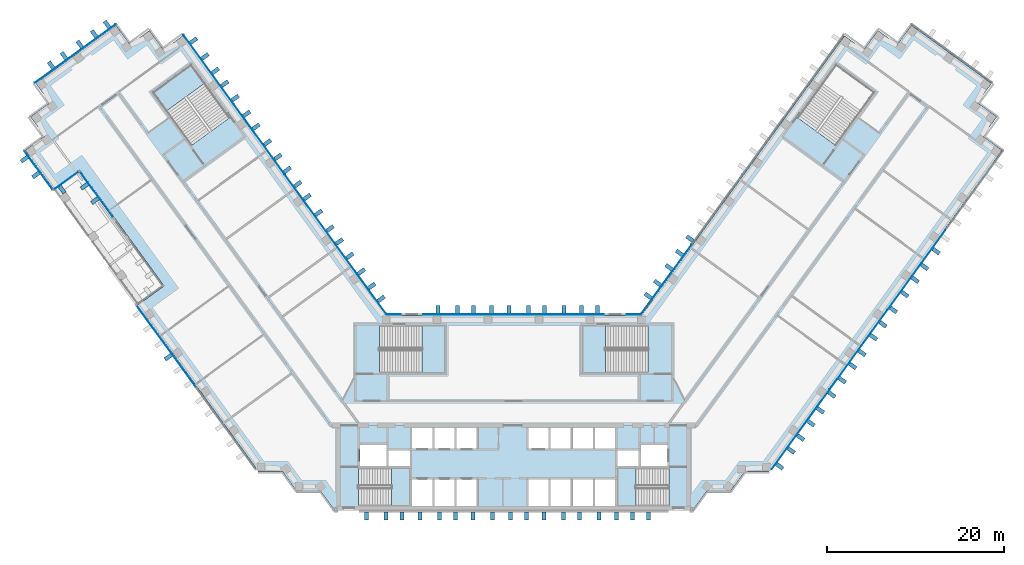
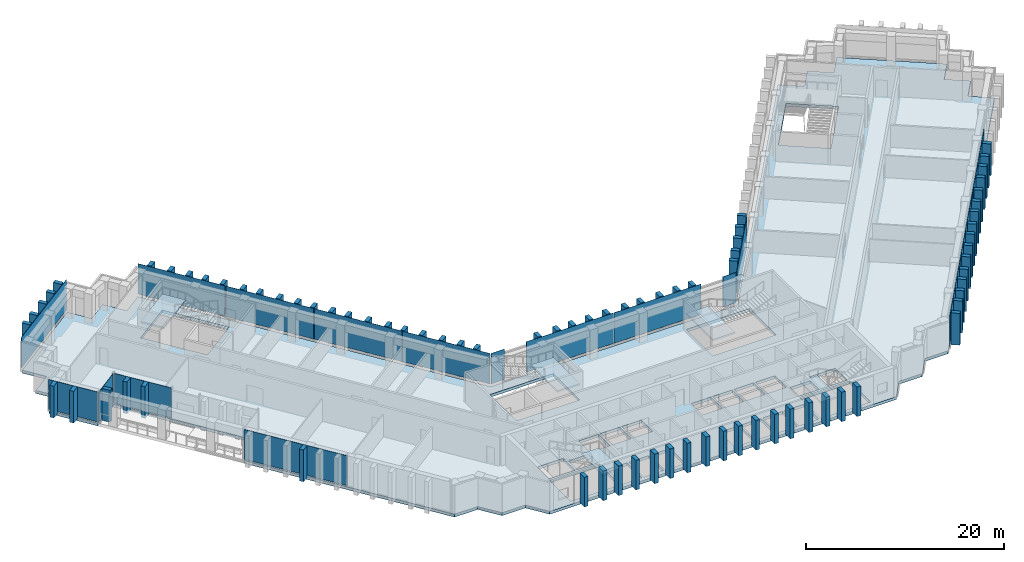
"""IFC4 building model written with IfcOpenShell, lengths in metres."""

from ifc_helpers import new_model, si_unit, direction, frame, origin, origin_2d, place, context, subcontext, project, spatial, polyline, rectangle, outline, extrude, material, layer, layer_set, type_object, element, aggregate, save


model = new_model("IFC4")

# Units and contexts
model_context = context("Model", 3, precision=1e-05, world=origin(), true_north=direction((0.0, 1.0)))
body_context = subcontext(model_context, "Body", "Model", "MODEL_VIEW")
ifc_project = project(units=[si_unit("LENGTHUNIT", "METRE"), si_unit("AREAUNIT", "SQUARE_METRE"), si_unit("VOLUMEUNIT", "CUBIC_METRE"), si_unit("PLANEANGLEUNIT", "RADIAN"), si_unit("MASSUNIT", "GRAM", prefix="KILO")], contexts=[model_context])

# Site, building, storey
site_placement = place(None, origin())
site = spatial("IfcSite", under=ifc_project, at=site_placement, CompositionType="ELEMENT")
building_placement = place(site_placement, origin())
building = spatial("IfcBuilding", under=site, at=building_placement, Name="Quipu Civic Tower", CompositionType="ELEMENT")
storey_1_placement = place(building_placement, frame((0.0, 0.0, 43.0)))
storey_1 = spatial("IfcBuildingStorey", under=building, at=storey_1_placement, Name="L09", CompositionType="ELEMENT", Elevation=43.0)

# Slab
ifc_material_1 = material(Name="Concrete C40/50", Category="concrete")
ifc_layer_1 = layer(ifc_material_1, 0.35009765625)
ifc_layer_set_1 = layer_set([ifc_layer_1], Name="Concrete C40/50")
slab_type_1 = type_object("IfcSlabType", Name="Floor slab 350 C40/50", PredefinedType="FLOOR", material=ifc_layer_set_1)
slab_1_placement = place(storey_1_placement, frame((0.0, 0.0, -0.35009765625)))
element("IfcSlab", 1, at=slab_1_placement, inside=storey_1, type_object=slab_type_1, Name="Floor slab L09", PredefinedType="FLOOR", context=body_context, shape_type="SweptSolid", body=[
    extrude(outline(polyline([(-54.514892578125, 33.389892578125), (-52.3349609375, 34.97509765625), (-53.919921875, 37.159912109375), (-44.860107421875, 43.739990234375), (-43.27001953125, 41.56005859375), (-41.0849609375, 43.14501953125), (-39.5, 40.9599609375), (-37.31494140625, 42.550048828125), (-14.39501953125, 11.0), (14.39501953125, 11.0), (37.31494140625, 42.550048828125), (39.5, 40.9599609375), (41.0849609375, 43.14501953125), (43.27001953125, 41.56005859375), (44.860107421875, 43.739990234375), (53.919921875, 37.159912109375), (52.3349609375, 34.97509765625), (54.514892578125, 33.389892578125), (52.929931640625, 31.205078125), (55.114990234375, 29.614990234375), (28.780029296875, -6.6298828125), (26.080078125, -6.6298828125), (24.489990234375, -8.81494140625), (21.7900390625, -8.81494140625), (20.205078125, -11.0), (-20.205078125, -11.0), (-21.7900390625, -8.81494140625), (-24.489990234375, -8.81494140625), (-26.080078125, -6.6298828125), (-28.780029296875, -6.6298828125), (-42.419921875, 12.139892578125), (-39.43505859375, 14.31005859375), (-48.9599609375, 27.4150390625), (-51.93994140625, 25.25), (-55.114990234375, 29.614990234375), (-52.929931640625, 31.205078125), (-54.514892578125, 33.389892578125)]), holes=[polyline([(-11.449951171875, -7.5), (-11.449951171875, -10.5), (-9.14990234375, -10.5), (-9.14990234375, -7.5), (-11.449951171875, -7.5)]), polyline([(-6.64990234375, -7.5), (-8.949951171875, -7.5), (-8.949951171875, -10.5), (-6.64990234375, -10.5), (-6.64990234375, -7.5)]), polyline([(-4.14990234375, -7.5), (-6.449951171875, -7.5), (-6.449951171875, -10.5), (-4.14990234375, -10.5), (-4.14990234375, -7.5)]), polyline([(1.64990234375, -7.5), (1.64990234375, -10.5), (3.949951171875, -10.5), (3.949951171875, -7.5), (1.64990234375, -7.5)]), polyline([(-11.705078125, -10.4951171875), (-11.705078125, -6.2548828125), (-17.4951171875, -6.2548828125), (-17.4951171875, -10.4951171875), (-11.705078125, -10.4951171875)]), polyline([(-11.699951171875, -4.25), (-14.10009765625, -4.25), (-14.10009765625, -6.0), (-11.699951171875, -6.0), (-11.699951171875, -4.25)]), polyline([(-17.35009765625, -3.60009765625), (-17.35009765625, -6.0), (-14.35009765625, -6.0), (-14.35009765625, -3.60009765625), (-17.35009765625, -3.60009765625)]), polyline([(-9.14990234375, -1.699951171875), (-11.449951171875, -1.699951171875), (-11.449951171875, -4.0), (-9.14990234375, -4.0), (-9.14990234375, -1.699951171875)]), polyline([(-6.64990234375, -1.699951171875), (-8.949951171875, -1.699951171875), (-8.949951171875, -4.0), (-6.64990234375, -4.0), (-6.64990234375, -1.699951171875)]), polyline([(-6.449951171875, -1.699951171875), (-6.449951171875, -4.0), (-4.14990234375, -4.0), (-4.14990234375, -1.699951171875), (-6.449951171875, -1.699951171875)]), polyline([(-7.7548828125, 4.5048828125), (-7.7548828125, 9.844970703125), (-15.14501953125, 9.844970703125), (-15.14501953125, 4.5048828125), (-7.7548828125, 4.5048828125)]), polyline([(-36.364990234375, 39.27490234375), (-40.68505859375, 36.135009765625), (-36.344970703125, 30.159912109375), (-32.02490234375, 33.300048828125), (-36.364990234375, 39.27490234375)]), polyline([(4.14990234375, -7.5), (4.14990234375, -10.5), (6.449951171875, -10.5), (6.449951171875, -7.5), (4.14990234375, -7.5)]), polyline([(8.949951171875, -7.5), (6.64990234375, -7.5), (6.64990234375, -10.5), (8.949951171875, -10.5), (8.949951171875, -7.5)]), polyline([(11.449951171875, -7.5), (9.14990234375, -7.5), (9.14990234375, -10.5), (11.449951171875, -10.5), (11.449951171875, -7.5)]), polyline([(11.705078125, -10.4951171875), (17.4951171875, -10.4951171875), (17.4951171875, -6.2548828125), (11.705078125, -6.2548828125), (11.705078125, -10.4951171875)]), polyline([(14.10009765625, -4.25), (11.699951171875, -4.25), (11.699951171875, -6.0), (14.10009765625, -6.0), (14.10009765625, -4.25)]), polyline([(17.35009765625, -3.60009765625), (14.35009765625, -3.60009765625), (14.35009765625, -6.0), (17.35009765625, -6.0), (17.35009765625, -3.60009765625)]), polyline([(1.64990234375, -1.699951171875), (1.64990234375, -4.0), (3.949951171875, -4.0), (3.949951171875, -1.699951171875), (1.64990234375, -1.699951171875)]), polyline([(6.449951171875, -1.699951171875), (4.14990234375, -1.699951171875), (4.14990234375, -4.0), (6.449951171875, -4.0), (6.449951171875, -1.699951171875)]), polyline([(8.949951171875, -1.699951171875), (6.64990234375, -1.699951171875), (6.64990234375, -4.0), (8.949951171875, -4.0), (8.949951171875, -1.699951171875)]), polyline([(9.14990234375, -1.699951171875), (9.14990234375, -4.0), (11.449951171875, -4.0), (11.449951171875, -1.699951171875), (9.14990234375, -1.699951171875)]), polyline([(7.7548828125, 9.844970703125), (7.7548828125, 4.5048828125), (15.14501953125, 4.5048828125), (15.14501953125, 9.844970703125), (7.7548828125, 9.844970703125)]), polyline([(40.68505859375, 36.135009765625), (36.364990234375, 39.27490234375), (32.02490234375, 33.300048828125), (36.344970703125, 30.159912109375), (40.68505859375, 36.135009765625)])]), origin(), (0.0, 0.0, 1.0), 0.35009765625),
])

# Curtain wall, plate
ifc_material_2 = material(Name="Insulated glass unit", Category="glass")
curtain_wall_type = type_object("IfcCurtainWallType", Name="Office curtain wall CW1", PredefinedType="NOTDEFINED", material=ifc_material_2)
curtain_wall_1_placement = place(storey_1_placement, origin())
curtain_wall_1 = element("IfcCurtainWall", 2, at=curtain_wall_1_placement, inside=storey_1, type_object=curtain_wall_type, Name="Office curtain wall CW1 L09 run 1", PredefinedType="NOTDEFINED")
ifc_material_3 = material(Name="Insulated glass unit", Category="glass")
ifc_layer_2 = layer(ifc_material_3, 0.028076171875)
ifc_layer_set_2 = layer_set([ifc_layer_2], Name="Insulated glass unit")
plate_type_1 = type_object("IfcPlateType", Name="Glass panel CW1", PredefinedType="CURTAIN_PANEL", material=ifc_layer_set_2)
plate_1_placement = place(storey_1_placement, frame((-53.6083984375, 27.373291015625, 0.240234375), z_axis=(0.0, 0.0, 1.0), x_axis=(0.587785144401, -0.809017072762, 0.0)))
plate_1 = element("IfcPlate", 3, at=plate_1_placement, type_object=plate_type_1, Name="CW1 panel 1.1", PredefinedType="CURTAIN_PANEL", context=body_context, shape_type="SweptSolid", body=[
    extrude(rectangle(XDim=5.43994140625, YDim=0.028076171875, at=origin_2d()), origin(), (0.0, 0.0, 1.0), 3.679931640625),
])
aggregate(curtain_wall_1, [plate_1])

curtain_wall_2_placement = place(storey_1_placement, origin())
curtain_wall_2 = element("IfcCurtainWall", 4, at=curtain_wall_2_placement, inside=storey_1, type_object=curtain_wall_type, Name="Office curtain wall CW1 L09 run 2", PredefinedType="NOTDEFINED")
plate_2_placement = place(storey_1_placement, frame((-50.4716796875, 26.19140625, 0.240234375), z_axis=(0.0, 0.0, 1.0), x_axis=(0.809017576253, 0.587784451405, 0.0)))
plate_2 = element("IfcPlate", 5, at=plate_2_placement, type_object=plate_type_1, Name="CW1 panel 1.1", PredefinedType="CURTAIN_PANEL", context=body_context, shape_type="SweptSolid", body=[
    extrude(rectangle(XDim=3.525634765625, YDim=0.028076171875, at=origin_2d()), origin(), (0.0, 0.0, 1.0), 3.679931640625),
])
aggregate(curtain_wall_2, [plate_2])

curtain_wall_3_placement = place(storey_1_placement, origin())
curtain_wall_3 = element("IfcCurtainWall", 6, at=curtain_wall_3_placement, inside=storey_1, type_object=curtain_wall_type, Name="Office curtain wall CW1 L09 run 3", PredefinedType="NOTDEFINED")
plate_3_placement = place(storey_1_placement, frame((-47.06494140625, 24.6376953125, 0.240234375), z_axis=(0.0, 0.0, 1.0), x_axis=(0.587783041125, -0.809018600878, 0.0)))
plate_3 = element("IfcPlate", 7, at=plate_3_placement, type_object=plate_type_1, Name="CW1 panel 1.1", PredefinedType="CURTAIN_PANEL", context=body_context, shape_type="SweptSolid", body=[
    extrude(rectangle(XDim=6.3583984375, YDim=0.028076171875, at=origin_2d()), origin(), (0.0, 0.0, 1.0), 3.679931640625),
])
aggregate(curtain_wall_3, [plate_3])

curtain_wall_4_placement = place(storey_1_placement, origin())
curtain_wall_4 = element("IfcCurtainWall", 8, at=curtain_wall_4_placement, inside=storey_1, type_object=curtain_wall_type, Name="Office curtain wall CW1 L09 run 7", PredefinedType="NOTDEFINED")
plate_4_placement = place(storey_1_placement, frame((-39.170654296875, 7.501708984375, 0.240234375), z_axis=(0.0, 0.0, 1.0), x_axis=(0.587783362073, -0.809018367696, 0.0)))
plate_4 = element("IfcPlate", 9, at=plate_4_placement, type_object=plate_type_1, Name="CW1 panel 1.1", PredefinedType="CURTAIN_PANEL", context=body_context, shape_type="SweptSolid", body=[
    extrude(rectangle(XDim=11.365478515625, YDim=0.028076171875, at=origin_2d()), origin(), (0.0, 0.0, 1.0), 3.679931640625),
])
aggregate(curtain_wall_4, [plate_4])

# Storey
storey_2_placement = place(building_placement, frame((0.0, 0.0, 47.0)))
storey_2 = spatial("IfcBuildingStorey", under=building, at=storey_2_placement, Name="L10", CompositionType="ELEMENT", Elevation=47.0)

# Curtain wall, plates
curtain_wall_5_placement = place(storey_2_placement, origin())
curtain_wall_5 = element("IfcCurtainWall", 10, at=curtain_wall_5_placement, inside=storey_2, type_object=curtain_wall_type, Name="Office curtain wall CW1 L09 run 19", PredefinedType="NOTDEFINED")
plate_5_placement = place(storey_1_placement, frame((32.342529296875, -1.896484375, 0.240234375), z_axis=(0.0, 0.0, 1.0), x_axis=(0.587785559869, 0.809016770908, 0.0)))
plate_5 = element("IfcPlate", 11, at=plate_5_placement, inside=storey_1, type_object=plate_type_1, Name="CW1 panel 1.1", PredefinedType="CURTAIN_PANEL", context=body_context, shape_type="SweptSolid", body=[
    extrude(rectangle(XDim=11.022705078125, YDim=0.028076171875, at=origin_2d()), origin(), (0.0, 0.0, 1.0), 3.760009765625),
])
plate_6_placement = place(storey_1_placement, frame((38.880126953125, 7.101806640625, 0.240234375), z_axis=(0.0, 0.0, 1.0), x_axis=(0.587785559869, 0.809016770908, 0.0)))
plate_6 = element("IfcPlate", 12, at=plate_6_placement, inside=storey_1, type_object=plate_type_1, Name="CW1 panel 2.1", PredefinedType="CURTAIN_PANEL", context=body_context, shape_type="SweptSolid", body=[
    extrude(rectangle(XDim=11.062744140625, YDim=0.028076171875, at=origin_2d()), origin(), (0.0, 0.0, 1.0), 3.760009765625),
])
plate_7_placement = place(storey_1_placement, frame((45.4296875, 16.11669921875, 0.240234375), z_axis=(0.0, 0.0, 1.0), x_axis=(0.587785559869, 0.809016770908, 0.0)))
plate_7 = element("IfcPlate", 13, at=plate_7_placement, inside=storey_1, type_object=plate_type_1, Name="CW1 panel 3.1", PredefinedType="CURTAIN_PANEL", context=body_context, shape_type="SweptSolid", body=[
    extrude(rectangle(XDim=11.062744140625, YDim=0.028076171875, at=origin_2d()), origin(), (0.0, 0.0, 1.0), 3.760009765625),
])
aggregate(curtain_wall_5, [plate_5, plate_6, plate_7])

# Curtain wall, plate
curtain_wall_6_placement = place(storey_2_placement, origin())
curtain_wall_6 = element("IfcCurtainWall", 14, at=curtain_wall_6_placement, inside=storey_2, type_object=curtain_wall_type, Name="Office curtain wall CW1 L09 run 29", PredefinedType="NOTDEFINED")
plate_8_placement = place(storey_1_placement, frame((17.224609375, 15.064697265625, 0.240234375), z_axis=(0.0, 0.0, 1.0), x_axis=(-0.587785887566, -0.809016532822, 0.0)))
plate_8 = element("IfcPlate", 15, at=plate_8_placement, inside=storey_1, type_object=plate_type_1, Name="CW1 panel 4.1", PredefinedType="CURTAIN_PANEL", context=body_context, shape_type="SweptSolid", body=[
    extrude(rectangle(XDim=9.64111328125, YDim=0.028076171875, at=origin_2d()), origin(), (0.0, 0.0, 1.0), 3.760009765625),
])
aggregate(curtain_wall_6, [plate_8])

curtain_wall_7_placement = place(storey_2_placement, origin())
curtain_wall_7 = element("IfcCurtainWall", 16, at=curtain_wall_7_placement, inside=storey_2, type_object=curtain_wall_type, Name="Office curtain wall CW1 L09 run 30", PredefinedType="NOTDEFINED")
plate_9_placement = place(storey_1_placement, frame((13.49951171875, 11.10009765625, 0.240234375), z_axis=(0.0, 0.0, 1.0), x_axis=(-1.0, 0.0, 0.0)))
plate_9 = element("IfcPlate", 17, at=plate_9_placement, inside=storey_1, type_object=plate_type_1, Name="CW1 panel 1.1", PredefinedType="CURTAIN_PANEL", context=body_context, shape_type="SweptSolid", body=[
    extrude(rectangle(XDim=1.529296875, YDim=0.028076171875, at=origin_2d()), origin(), (0.0, 0.0, 1.0), 3.760009765625),
])
aggregate(curtain_wall_7, [plate_9])

# Curtain wall, plates
curtain_wall_8_placement = place(storey_2_placement, origin())
curtain_wall_8 = element("IfcCurtainWall", 18, at=curtain_wall_8_placement, inside=storey_2, type_object=curtain_wall_type, Name="Office curtain wall CW1 L09 run 32", PredefinedType="NOTDEFINED")
plate_10_placement = place(storey_1_placement, frame((5.11181640625, 11.10009765625, 0.240234375), z_axis=(0.0, 0.0, 1.0), x_axis=(-1.0, 0.0, 0.0)))
plate_10 = element("IfcPlate", 19, at=plate_10_placement, inside=storey_1, type_object=plate_type_1, Name="CW1 panel 1.1", PredefinedType="CURTAIN_PANEL", context=body_context, shape_type="SweptSolid", body=[
    extrude(rectangle(XDim=10.1435546875, YDim=0.028076171875, at=origin_2d()), origin(), (0.0, 0.0, 1.0), 3.760009765625),
])
plate_11_placement = place(storey_1_placement, frame((-5.11181640625, 11.10009765625, 0.240234375), z_axis=(0.0, 0.0, 1.0), x_axis=(-1.0, 0.0, 0.0)))
plate_11 = element("IfcPlate", 20, at=plate_11_placement, inside=storey_1, type_object=plate_type_1, Name="CW1 panel 2.1", PredefinedType="CURTAIN_PANEL", context=body_context, shape_type="SweptSolid", body=[
    extrude(rectangle(XDim=10.1435546875, YDim=0.028076171875, at=origin_2d()), origin(), (0.0, 0.0, 1.0), 3.760009765625),
])
aggregate(curtain_wall_8, [plate_10, plate_11])

# Curtain wall, plate
curtain_wall_9_placement = place(storey_2_placement, origin())
curtain_wall_9 = element("IfcCurtainWall", 21, at=curtain_wall_9_placement, inside=storey_2, type_object=curtain_wall_type, Name="Office curtain wall CW1 L09 run 34", PredefinedType="NOTDEFINED")
plate_12_placement = place(storey_1_placement, frame((-13.49951171875, 11.10009765625, 0.240234375), z_axis=(0.0, 0.0, 1.0), x_axis=(-1.0, 0.0, 0.0)))
plate_12 = element("IfcPlate", 22, at=plate_12_placement, inside=storey_1, type_object=plate_type_1, Name="CW1 panel 1.1", PredefinedType="CURTAIN_PANEL", context=body_context, shape_type="SweptSolid", body=[
    extrude(rectangle(XDim=1.529296875, YDim=0.028076171875, at=origin_2d()), origin(), (0.0, 0.0, 1.0), 3.760009765625),
])
aggregate(curtain_wall_9, [plate_12])

# Curtain wall, plates
curtain_wall_10_placement = place(storey_2_placement, origin())
curtain_wall_10 = element("IfcCurtainWall", 23, at=curtain_wall_10_placement, inside=storey_2, type_object=curtain_wall_type, Name="Office curtain wall CW1 L09 run 35", PredefinedType="NOTDEFINED")
plate_13_placement = place(storey_1_placement, frame((-17.224609375, 15.064697265625, 0.240234375), z_axis=(0.0, 0.0, 1.0), x_axis=(-0.587785887566, 0.809016532822, 0.0)))
plate_13 = element("IfcPlate", 24, at=plate_13_placement, inside=storey_1, type_object=plate_type_1, Name="CW1 panel 1.1", PredefinedType="CURTAIN_PANEL", context=body_context, shape_type="SweptSolid", body=[
    extrude(rectangle(XDim=9.64111328125, YDim=0.028076171875, at=origin_2d()), origin(), (0.0, 0.0, 1.0), 3.760009765625),
])
plate_14_placement = place(storey_1_placement, frame((-22.950439453125, 22.9453125, 0.240234375), z_axis=(0.0, 0.0, 1.0), x_axis=(-0.587785887566, 0.809016532822, 0.0)))
plate_14 = element("IfcPlate", 25, at=plate_14_placement, inside=storey_1, type_object=plate_type_1, Name="CW1 panel 2.1", PredefinedType="CURTAIN_PANEL", context=body_context, shape_type="SweptSolid", body=[
    extrude(rectangle(XDim=9.68115234375, YDim=0.028076171875, at=origin_2d()), origin(), (0.0, 0.0, 1.0), 3.760009765625),
])
plate_15_placement = place(storey_1_placement, frame((-28.687744140625, 30.84228515625, 0.240234375), z_axis=(0.0, 0.0, 1.0), x_axis=(-0.587785887566, 0.809016532822, 0.0)))
plate_15 = element("IfcPlate", 26, at=plate_15_placement, inside=storey_1, type_object=plate_type_1, Name="CW1 panel 3.1", PredefinedType="CURTAIN_PANEL", context=body_context, shape_type="SweptSolid", body=[
    extrude(rectangle(XDim=9.68115234375, YDim=0.028076171875, at=origin_2d()), origin(), (0.0, 0.0, 1.0), 3.760009765625),
])
plate_16_placement = place(storey_1_placement, frame((-34.413330078125, 38.722900390625, 0.240234375), z_axis=(0.0, 0.0, 1.0), x_axis=(-0.587785887566, 0.809016532822, 0.0)))
plate_16 = element("IfcPlate", 27, at=plate_16_placement, inside=storey_1, type_object=plate_type_1, Name="CW1 panel 4.1", PredefinedType="CURTAIN_PANEL", context=body_context, shape_type="SweptSolid", body=[
    extrude(rectangle(XDim=9.64111328125, YDim=0.028076171875, at=origin_2d()), origin(), (0.0, 0.0, 1.0), 3.760009765625),
])
aggregate(curtain_wall_10, [plate_13, plate_14, plate_15, plate_16])

# Curtain wall, plate
curtain_wall_11_placement = place(storey_2_placement, origin())
curtain_wall_11 = element("IfcCurtainWall", 28, at=curtain_wall_11_placement, inside=storey_2, type_object=curtain_wall_type, Name="Office curtain wall CW1 L09 run 40", PredefinedType="NOTDEFINED")
plate_17_placement = place(storey_1_placement, frame((-49.447998046875, 40.53173828125, 0.240234375), z_axis=(0.0, 0.0, 1.0), x_axis=(-0.809019348124, -0.587782012621, 0.0)))
plate_17 = element("IfcPlate", 29, at=plate_17_placement, inside=storey_1, type_object=plate_type_1, Name="CW1 panel 1.1", PredefinedType="CURTAIN_PANEL", context=body_context, shape_type="SweptSolid", body=[
    extrude(rectangle(XDim=11.239990234375, YDim=0.028076171875, at=origin_2d()), origin(), (0.0, 0.0, 1.0), 3.760009765625),
])
aggregate(curtain_wall_11, [plate_17])

# Plates
ifc_material_4 = material(Name="Precast concrete C40/50", Category="concrete")
plate_type_2 = type_object("IfcPlateType", Name="Precast fin F1", PredefinedType="SHEET", material=ifc_material_4)
for number, where, z_axis, x_axis, name in (
    (30, (-55.184814453125, 28.607421875, 0.080078125), (0.0, 0.0, 1.0), (0.587779635352, -0.809021075291, 0.0), "Precast fin F1 L09.1.1"),
    (31, (-53.8916015625, 26.82763671875, 0.080078125), (0.0, 0.0, 1.0), (0.587779635352, -0.809021075291, 0.0), "Precast fin F1 L09.1.2"),
    (32, (-50.931396484375, 25.177490234375, 0.080078125), (0.0, 0.0, 1.0), (0.809017576253, 0.587784451405, 0.0), "Precast fin F1 L09.2.1"),
    (33, (-48.41162109375, 25.5556640625, 0.080078125), (0.0, 0.0, 1.0), (0.587790651094, -0.809013071889, 0.0), "Precast fin F1 L09.3.1"),
    (34, (-47.236083984375, 23.937744140625, 0.080078125), (0.0, 0.0, 1.0), (0.587790651094, -0.809013071889, 0.0), "Precast fin F1 L09.3.2"),
    (35, (-38.9619140625, 6.278564453125, 0.080078125), (0.0, 0.0, 1.0), (0.587783685959, -0.809018132381, 0.0), "Precast fin F1 L09.7.4"),
):
    element("IfcPlate", number, at=place(storey_1_placement, frame(where, z_axis=z_axis, x_axis=x_axis)), inside=storey_1, type_object=plate_type_2, Name=name, PredefinedType="SHEET", context=body_context, shape_type="SweptSolid", body=[
        extrude(rectangle(XDim=0.449951171875, YDim=0.89990234375, at=origin_2d()), origin(), (0.0, 0.0, 1.0), 3.919921875),
    ])
for number, where, z_axis, x_axis, name in (
    (36, (-16.574951171875, -11.637939453125, 0.0), (0.0, 0.0, 1.0), (1.0, 0.0, 0.0), "Precast fin F1 L09.13.1"),
    (37, (-14.375, -11.637939453125, 0.0), (0.0, 0.0, 1.0), (1.0, 0.0, 0.0), "Precast fin F1 L09.13.2"),
    (38, (-12.574951171875, -11.637939453125, 0.0), (0.0, 0.0, 1.0), (1.0, 0.0, 0.0), "Precast fin F1 L09.13.3"),
    (39, (-10.574951171875, -11.637939453125, 0.0), (0.0, 0.0, 1.0), (1.0, 0.0, 0.0), "Precast fin F1 L09.13.4"),
    (40, (-8.375, -11.637939453125, 0.0), (0.0, 0.0, 1.0), (1.0, 0.0, 0.0), "Precast fin F1 L09.13.5"),
    (41, (-6.574951171875, -11.637939453125, 0.0), (0.0, 0.0, 1.0), (1.0, 0.0, 0.0), "Precast fin F1 L09.13.6"),
    (42, (-4.574951171875, -11.637939453125, 0.0), (0.0, 0.0, 1.0), (1.0, 0.0, 0.0), "Precast fin F1 L09.13.7"),
    (43, (-2.375, -11.637939453125, 0.0), (0.0, 0.0, 1.0), (1.0, 0.0, 0.0), "Precast fin F1 L09.13.8"),
    (44, (-0.375, -11.637939453125, 0.0), (0.0, 0.0, 1.0), (1.0, 0.0, 0.0), "Precast fin F1 L09.13.9"),
    (45, (1.425048828125, -11.637939453125, 0.0), (0.0, 0.0, 1.0), (1.0, 0.0, 0.0), "Precast fin F1 L09.13.10"),
    (46, (3.425048828125, -11.637939453125, 0.0), (0.0, 0.0, 1.0), (1.0, 0.0, 0.0), "Precast fin F1 L09.13.11"),
    (47, (5.625, -11.637939453125, 0.0), (0.0, 0.0, 1.0), (1.0, 0.0, 0.0), "Precast fin F1 L09.13.12"),
    (48, (7.425048828125, -11.637939453125, 0.0), (0.0, 0.0, 1.0), (1.0, 0.0, 0.0), "Precast fin F1 L09.13.13"),
    (49, (9.625, -11.637939453125, 0.0), (0.0, 0.0, 1.0), (1.0, 0.0, 0.0), "Precast fin F1 L09.13.14"),
    (50, (11.625, -11.637939453125, 0.0), (0.0, 0.0, 1.0), (1.0, 0.0, 0.0), "Precast fin F1 L09.13.15"),
    (51, (13.425048828125, -11.637939453125, 0.0), (0.0, 0.0, 1.0), (1.0, 0.0, 0.0), "Precast fin F1 L09.13.16"),
    (52, (15.22509765625, -11.637939453125, 0.0), (0.0, 0.0, 1.0), (1.0, 0.0, 0.0), "Precast fin F1 L09.13.17"),
):
    element("IfcPlate", number, at=place(storey_1_placement, frame(where, z_axis=z_axis, x_axis=x_axis)), inside=storey_1, type_object=plate_type_2, Name=name, PredefinedType="SHEET", context=body_context, shape_type="SweptSolid", body=[
        extrude(rectangle(XDim=0.449951171875, YDim=0.89990234375, at=origin_2d()), origin(), (0.0, 0.0, 1.0), 3.64990234375),
    ])
for number, where, z_axis, x_axis, name in (
    (53, (30.014892578125, -6.03564453125, 0.080078125), (0.0, 0.0, 1.0), (0.587785716149, 0.809016657363, 0.0), "Precast fin F1 L09.19.1"),
    (54, (31.30810546875, -4.255859375, 0.080078125), (0.0, 0.0, 1.0), (0.587785716149, 0.809016657363, 0.0), "Precast fin F1 L09.19.2"),
    (55, (32.365966796875, -2.7998046875, 0.080078125), (0.0, 0.0, 1.0), (0.587785716149, 0.809016657363, 0.0), "Precast fin F1 L09.19.3"),
    (56, (33.541748046875, -1.181640625, 0.080078125), (0.0, 0.0, 1.0), (0.587785716149, 0.809016657363, 0.0), "Precast fin F1 L09.19.4"),
    (57, (34.599609375, 0.274658203125, 0.080078125), (0.0, 0.0, 1.0), (0.587785716149, 0.809016657363, 0.0), "Precast fin F1 L09.19.5"),
    (58, (35.892822265625, 2.054443359375, 0.080078125), (0.0, 0.0, 1.0), (0.587785716149, 0.809016657363, 0.0), "Precast fin F1 L09.19.6"),
    (59, (37.068359375, 3.67236328125, 0.080078125), (0.0, 0.0, 1.0), (0.587785716149, 0.809016657363, 0.0), "Precast fin F1 L09.19.7"),
    (60, (38.243896484375, 5.29052734375, 0.080078125), (0.0, 0.0, 1.0), (0.587785716149, 0.809016657363, 0.0), "Precast fin F1 L09.19.8"),
    (61, (39.302001953125, 6.74658203125, 0.080078125), (0.0, 0.0, 1.0), (0.587785716149, 0.809016657363, 0.0), "Precast fin F1 L09.19.9"),
    (62, (40.594970703125, 8.526611328125, 0.080078125), (0.0, 0.0, 1.0), (0.587785716149, 0.809016657363, 0.0), "Precast fin F1 L09.19.10"),
    (63, (41.653076171875, 9.982666015625, 0.080078125), (0.0, 0.0, 1.0), (0.587785716149, 0.809016657363, 0.0), "Precast fin F1 L09.19.11"),
    (64, (42.82861328125, 11.600830078125, 0.080078125), (0.0, 0.0, 1.0), (0.587785716149, 0.809016657363, 0.0), "Precast fin F1 L09.19.12"),
    (65, (44.121826171875, 13.380615234375, 0.080078125), (0.0, 0.0, 1.0), (0.587785716149, 0.809016657363, 0.0), "Precast fin F1 L09.19.13"),
    (66, (45.29736328125, 14.998779296875, 0.080078125), (0.0, 0.0, 1.0), (0.587785716149, 0.809016657363, 0.0), "Precast fin F1 L09.19.14"),
    (67, (46.35546875, 16.454833984375, 0.080078125), (0.0, 0.0, 1.0), (0.587785716149, 0.809016657363, 0.0), "Precast fin F1 L09.19.15"),
    (68, (47.6484375, 18.234619140625, 0.080078125), (0.0, 0.0, 1.0), (0.587785716149, 0.809016657363, 0.0), "Precast fin F1 L09.19.16"),
    (69, (19.876708984375, 19.650390625, 0.080078125), (0.0, 0.0, 1.0), (-0.587784944053, -0.809017218324, 0.0), "Precast fin F1 L09.29.15"),
    (70, (18.701171875, 18.032470703125, 0.080078125), (0.0, 0.0, 1.0), (-0.587784944053, -0.809017218324, 0.0), "Precast fin F1 L09.29.16"),
    (71, (17.525390625, 16.414306640625, 0.080078125), (0.0, 0.0, 1.0), (-0.587784944053, -0.809017218324, 0.0), "Precast fin F1 L09.29.17"),
    (72, (16.232421875, 14.634521484375, 0.080078125), (0.0, 0.0, 1.0), (-0.587784944053, -0.809017218324, 0.0), "Precast fin F1 L09.29.18"),
    (73, (15.17431640625, 13.17822265625, 0.080078125), (0.0, 0.0, 1.0), (-0.587784944053, -0.809017218324, 0.0), "Precast fin F1 L09.29.19"),
    (74, (9.47509765625, 11.64990234375, 0.080078125), (0.0, 0.0, 1.0), (-1.0, 0.0, 0.0), "Precast fin F1 L09.32.1"),
    (75, (7.675048828125, 11.64990234375, 0.080078125), (0.0, 0.0, 1.0), (-1.0, 0.0, 0.0), "Precast fin F1 L09.32.2"),
    (76, (5.675048828125, 11.64990234375, 0.080078125), (0.0, 0.0, 1.0), (-1.0, 0.0, 0.0), "Precast fin F1 L09.32.3"),
    (77, (3.47509765625, 11.64990234375, 0.080078125), (0.0, 0.0, 1.0), (-1.0, 0.0, 0.0), "Precast fin F1 L09.32.4"),
    (78, (1.675048828125, 11.64990234375, 0.080078125), (0.0, 0.0, 1.0), (-1.0, 0.0, 0.0), "Precast fin F1 L09.32.5"),
    (79, (-0.52490234375, 11.64990234375, 0.080078125), (0.0, 0.0, 1.0), (-1.0, 0.0, 0.0), "Precast fin F1 L09.32.6"),
    (80, (-2.52490234375, 11.64990234375, 0.080078125), (0.0, 0.0, 1.0), (-1.0, 0.0, 0.0), "Precast fin F1 L09.32.7"),
    (81, (-4.52490234375, 11.64990234375, 0.080078125), (0.0, 0.0, 1.0), (-1.0, 0.0, 0.0), "Precast fin F1 L09.32.8"),
    (82, (-6.324951171875, 11.64990234375, 0.080078125), (0.0, 0.0, 1.0), (-1.0, 0.0, 0.0), "Precast fin F1 L09.32.9"),
    (83, (-8.52490234375, 11.64990234375, 0.080078125), (0.0, 0.0, 1.0), (-1.0, 0.0, 0.0), "Precast fin F1 L09.32.10"),
    (84, (-14.942138671875, 12.8583984375, 0.080078125), (0.0, 0.0, 1.0), (-0.587784944053, 0.809017218324, 0.0), "Precast fin F1 L09.35.1"),
    (85, (-16.0, 14.314697265625, 0.080078125), (0.0, 0.0, 1.0), (-0.587784944053, 0.809017218324, 0.0), "Precast fin F1 L09.35.2"),
    (86, (-17.175537109375, 15.932861328125, 0.080078125), (0.0, 0.0, 1.0), (-0.587784944053, 0.809017218324, 0.0), "Precast fin F1 L09.35.3"),
    (87, (-18.46875, 17.712646484375, 0.080078125), (0.0, 0.0, 1.0), (-0.587784944053, 0.809017218324, 0.0), "Precast fin F1 L09.35.4"),
    (88, (-19.644287109375, 19.33056640625, 0.080078125), (0.0, 0.0, 1.0), (-0.587784944053, 0.809017218324, 0.0), "Precast fin F1 L09.35.5"),
    (89, (-20.702392578125, 20.786865234375, 0.080078125), (0.0, 0.0, 1.0), (-0.587784944053, 0.809017218324, 0.0), "Precast fin F1 L09.35.6"),
    (90, (-21.995361328125, 22.566650390625, 0.080078125), (0.0, 0.0, 1.0), (-0.587784944053, 0.809017218324, 0.0), "Precast fin F1 L09.35.7"),
    (91, (-23.28857421875, 24.3466796875, 0.080078125), (0.0, 0.0, 1.0), (-0.587784944053, 0.809017218324, 0.0), "Precast fin F1 L09.35.8"),
    (92, (-24.3466796875, 25.802734375, 0.080078125), (0.0, 0.0, 1.0), (-0.587784944053, 0.809017218324, 0.0), "Precast fin F1 L09.35.9"),
    (93, (-25.522216796875, 27.4208984375, 0.080078125), (0.0, 0.0, 1.0), (-0.587784944053, 0.809017218324, 0.0), "Precast fin F1 L09.35.10"),
    (94, (-26.580078125, 28.876953125, 0.080078125), (0.0, 0.0, 1.0), (-0.587784944053, 0.809017218324, 0.0), "Precast fin F1 L09.35.11"),
    (95, (-27.755859375, 30.4951171875, 0.080078125), (0.0, 0.0, 1.0), (-0.587784944053, 0.809017218324, 0.0), "Precast fin F1 L09.35.12"),
    (96, (-29.048828125, 32.27490234375, 0.080078125), (0.0, 0.0, 1.0), (-0.587784944053, 0.809017218324, 0.0), "Precast fin F1 L09.35.13"),
    (97, (-30.10693359375, 33.731201171875, 0.080078125), (0.0, 0.0, 1.0), (-0.587784944053, 0.809017218324, 0.0), "Precast fin F1 L09.35.14"),
    (98, (-31.400146484375, 35.510986328125, 0.080078125), (0.0, 0.0, 1.0), (-0.587784944053, 0.809017218324, 0.0), "Precast fin F1 L09.35.15"),
    (99, (-32.57568359375, 37.129150390625, 0.080078125), (0.0, 0.0, 1.0), (-0.587784944053, 0.809017218324, 0.0), "Precast fin F1 L09.35.16"),
    (100, (-33.633544921875, 38.585205078125, 0.080078125), (0.0, 0.0, 1.0), (-0.587784944053, 0.809017218324, 0.0), "Precast fin F1 L09.35.17"),
    (101, (-34.80908203125, 40.203369140625, 0.080078125), (0.0, 0.0, 1.0), (-0.587784944053, 0.809017218324, 0.0), "Precast fin F1 L09.35.18"),
    (102, (-36.102294921875, 41.983154296875, 0.080078125), (0.0, 0.0, 1.0), (-0.587784944053, 0.809017218324, 0.0), "Precast fin F1 L09.35.19"),
    (103, (-45.867919921875, 43.812744140625, 0.080078125), (0.0, 0.0, 1.0), (-0.809021318545, -0.587779300537, 0.0), "Precast fin F1 L09.40.1"),
    (104, (-47.323974609375, 42.754638671875, 0.080078125), (0.0, 0.0, 1.0), (-0.809021318545, -0.587779300537, 0.0), "Precast fin F1 L09.40.2"),
    (105, (-48.942138671875, 41.5791015625, 0.080078125), (0.0, 0.0, 1.0), (-0.809021318545, -0.587779300537, 0.0), "Precast fin F1 L09.40.3"),
    (106, (-50.721923828125, 40.2861328125, 0.080078125), (0.0, 0.0, 1.0), (-0.809021318545, -0.587779300537, 0.0), "Precast fin F1 L09.40.4"),
    (107, (-52.17822265625, 39.22802734375, 0.080078125), (0.0, 0.0, 1.0), (-0.809021318545, -0.587779300537, 0.0), "Precast fin F1 L09.40.5"),
):
    element("IfcPlate", number, at=place(storey_1_placement, frame(where, z_axis=z_axis, x_axis=x_axis)), inside=storey_1, type_object=plate_type_2, Name=name, PredefinedType="SHEET", context=body_context, shape_type="SweptSolid", body=[
        extrude(rectangle(XDim=0.449951171875, YDim=0.89990234375, at=origin_2d()), origin(), (0.0, 0.0, 1.0), 3.919921875),
    ])

# Stair, slab
ifc_material_5 = material(Name="Concrete C40/50", Category="concrete")
stair_type_1 = type_object("IfcStairType", Name="Half turn stair 2000", PredefinedType="HALF_TURN_STAIR", material=ifc_material_5)
stair_1_placement = place(storey_1_placement, origin())
stair_1 = element("IfcStair", 108, at=stair_1_placement, inside=storey_1, type_object=stair_type_1, Name="Exit stair 1", PredefinedType="HALF_TURN_STAIR")
ifc_material_6 = material(Name="Concrete C40/50", Category="concrete")
ifc_layer_3 = layer(ifc_material_6, 0.199951171875)
ifc_layer_set_3 = layer_set([ifc_layer_3], Name="Concrete C40/50")
slab_type_2 = type_object("IfcSlabType", Name="Stair landing 200", PredefinedType="LANDING", material=ifc_layer_set_3)
slab_2_placement = place(storey_1_placement, frame((0.0, 0.0, 1.800048828125)))
slab_2 = element("IfcSlab", 109, at=slab_2_placement, type_object=slab_type_2, Name="ST-1 landing 1", PredefinedType="LANDING", context=body_context, shape_type="SweptSolid", body=[
    extrude(outline(polyline([(-13.780029296875, -10.5), (-11.699951171875, -10.5), (-11.699951171875, -6.25), (-13.780029296875, -6.25), (-13.780029296875, -10.5)])), origin(), (0.0, 0.0, 1.0), 0.199951171875),
])
aggregate(stair_1, [slab_2])

stair_2_placement = place(storey_1_placement, origin())
stair_2 = element("IfcStair", 110, at=stair_2_placement, inside=storey_1, type_object=stair_type_1, Name="Exit stair 2", PredefinedType="HALF_TURN_STAIR")
slab_3_placement = place(storey_1_placement, frame((0.0, 0.0, 1.800048828125)))
slab_3 = element("IfcSlab", 111, at=slab_3_placement, type_object=slab_type_2, Name="ST-2 landing 1", PredefinedType="LANDING", context=body_context, shape_type="SweptSolid", body=[
    extrude(outline(polyline([(13.780029296875, -6.25), (11.699951171875, -6.25), (11.699951171875, -10.5), (13.780029296875, -10.5), (13.780029296875, -6.25)])), origin(), (0.0, 0.0, 1.0), 0.199951171875),
])
aggregate(stair_2, [slab_3])

ifc_material_7 = material(Name="Concrete C40/50", Category="concrete")
stair_type_2 = type_object("IfcStairType", Name="Half turn stair 2600", PredefinedType="HALF_TURN_STAIR", material=ifc_material_7)
stair_3_placement = place(storey_1_placement, origin())
stair_3 = element("IfcStair", 112, at=stair_3_placement, inside=storey_1, type_object=stair_type_2, Name="Exit stair 3", PredefinedType="HALF_TURN_STAIR")
slab_4_placement = place(storey_1_placement, frame((0.0, 0.0, 1.800048828125)))
slab_4 = element("IfcSlab", 113, at=slab_4_placement, type_object=slab_type_2, Name="ST-3 landing 1", PredefinedType="LANDING", context=body_context, shape_type="SweptSolid", body=[
    extrude(outline(polyline([(-10.35009765625, 4.5), (-7.75, 4.5), (-7.75, 9.85009765625), (-10.35009765625, 9.85009765625), (-10.35009765625, 4.5)])), origin(), (0.0, 0.0, 1.0), 0.199951171875),
])
aggregate(stair_3, [slab_4])

stair_4_placement = place(storey_1_placement, origin())
stair_4 = element("IfcStair", 114, at=stair_4_placement, inside=storey_1, type_object=stair_type_2, Name="Exit stair 4", PredefinedType="HALF_TURN_STAIR")
slab_5_placement = place(storey_1_placement, frame((0.0, 0.0, 1.800048828125)))
slab_5 = element("IfcSlab", 115, at=slab_5_placement, type_object=slab_type_2, Name="ST-4 landing 1", PredefinedType="LANDING", context=body_context, shape_type="SweptSolid", body=[
    extrude(outline(polyline([(10.35009765625, 9.85009765625), (7.75, 9.85009765625), (7.75, 4.5), (10.35009765625, 4.5), (10.35009765625, 9.85009765625)])), origin(), (0.0, 0.0, 1.0), 0.199951171875),
])
aggregate(stair_4, [slab_5])

stair_5_placement = place(storey_1_placement, origin())
stair_5 = element("IfcStair", 116, at=stair_5_placement, inside=storey_1, type_object=stair_type_2, Name="Exit stair 6", PredefinedType="HALF_TURN_STAIR")
slab_6_placement = place(storey_1_placement, frame((0.0, 0.0, 1.800048828125)))
slab_6 = element("IfcSlab", 117, at=slab_6_placement, type_object=slab_type_2, Name="ST-6 landing 1", PredefinedType="LANDING", context=body_context, shape_type="SweptSolid", body=[
    extrude(outline(polyline([(-34.837158203125, 37.179443359375), (-36.365478515625, 39.282958984375), (-40.69384765625, 36.138427734375), (-39.16552734375, 34.034912109375), (-34.837158203125, 37.179443359375)])), origin(), (0.0, 0.0, 1.0), 0.199951171875),
])
aggregate(stair_5, [slab_6])

save(model, "model.ifc")
